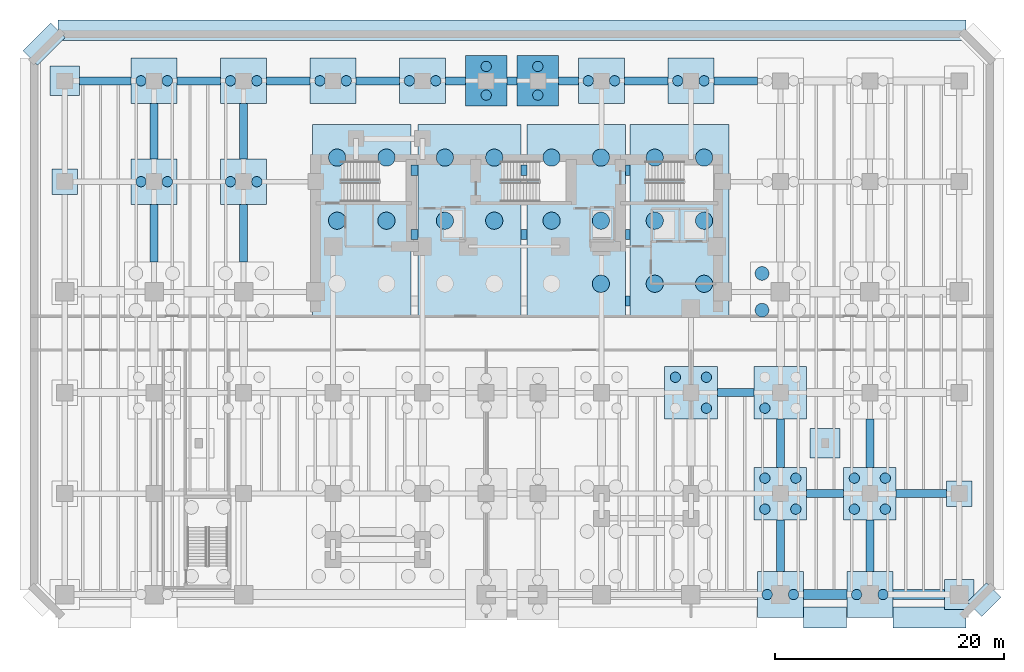
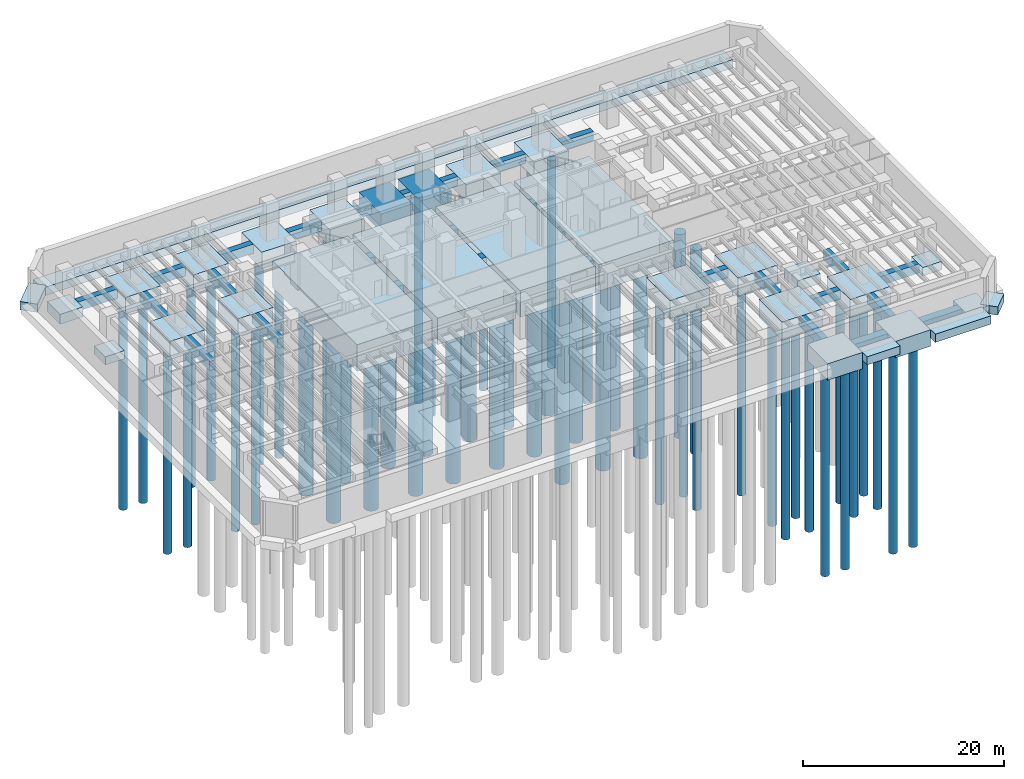
# One storey, part 2 of 13: 59 footings, 57 piles.
"""IFC4 building model written with IfcOpenShell, lengths in metres."""

from ifc_helpers import new_model, si_unit, direction, frame, origin, origin_2d, place, context, subcontext, project, spatial, rectangle, circle, extrude, material, material_profile, profile_set, type_object, element, save


model = new_model("IFC4")

# Units and contexts
model_context = context("Model", 3, precision=1e-05, world=origin(), true_north=direction((0.0, 1.0)))
body_context = subcontext(model_context, "Body", "Model", "MODEL_VIEW")
ifc_project = project(units=[si_unit("LENGTHUNIT", "METRE"), si_unit("AREAUNIT", "SQUARE_METRE"), si_unit("VOLUMEUNIT", "CUBIC_METRE"), si_unit("PLANEANGLEUNIT", "RADIAN"), si_unit("MASSUNIT", "GRAM", prefix="KILO")], contexts=[model_context])

# Site, building, storey
site_placement = place(None, origin())
site = spatial("IfcSite", under=ifc_project, at=site_placement, CompositionType="ELEMENT")
building_placement = place(site_placement, origin())
building = spatial("IfcBuilding", under=site, at=building_placement, Name="Kestravale Grand Hotel", CompositionType="ELEMENT")
storey_placement = place(building_placement, frame((0.0, 0.0, -9.0)))
storey = spatial("IfcBuildingStorey", under=building, at=storey_placement, Name="B2", CompositionType="ELEMENT", Elevation=-9.0)

# Footings
ifc_material_1 = material(Name="Concrete f'c 45 MPa", Category="concrete")
ifc_material_profile_1 = material_profile(ifc_material_1, rectangle(XDim=0.89990234375, YDim=1.39990234375, at=origin_2d()))
ifc_profile_set_1 = profile_set([ifc_material_profile_1], Name="Concrete f'c 45 MPa")
footing_type_1 = type_object("IfcFootingType", Name="FB-TIE-1", PredefinedType="FOOTING_BEAM", material=ifc_profile_set_1)
for number, where, z_axis, x_axis, name in (
    (1, (30.199951171875, 33.800048828125, -0.699951171875), (1.0, 0.0, 0.0), (0.0, 1.0, 0.0), "Core tie beam 1.2"),
    (2, (30.199951171875, 39.39990234375, -0.699951171875), (1.0, 0.0, 0.0), (0.0, 1.0, 0.0), "Core tie beam 1.3"),
):
    element("IfcFooting", number, at=place(storey_placement, frame(where, z_axis=z_axis, x_axis=x_axis)), inside=storey, type_object=footing_type_1, Name=name, PredefinedType="FOOTING_BEAM", context=body_context, shape_type="SweptSolid", body=[
        extrude(rectangle(XDim=0.89990234375, YDim=1.39990234375, at=origin_2d()), origin(), (0.0, 0.0, 1.0), 0.60009765625),
    ])
for number, where, z_axis, x_axis, name in (
    (3, (39.800048828125, 33.800048828125, -0.699951171875), (1.0, 0.0, 0.0), (0.0, 1.0, 0.0), "Core tie beam 2.2"),
    (4, (39.800048828125, 39.39990234375, -0.699951171875), (1.0, 0.0, 0.0), (0.0, 1.0, 0.0), "Core tie beam 2.3"),
):
    element("IfcFooting", number, at=place(storey_placement, frame(where, z_axis=z_axis, x_axis=x_axis)), inside=storey, type_object=footing_type_1, Name=name, PredefinedType="FOOTING_BEAM", context=body_context, shape_type="SweptSolid", body=[
        extrude(rectangle(XDim=0.89990234375, YDim=1.39990234375, at=origin_2d()), origin(), (0.0, 0.0, 1.0), 0.5),
    ])
for number, where, z_axis, x_axis, name in (
    (5, (48.89990234375, 28.0, -0.699951171875), (1.0, 0.0, 0.0), (0.0, 1.0, 0.0), "Core tie beam 3.1"),
    (6, (48.89990234375, 33.800048828125, -0.699951171875), (1.0, 0.0, 0.0), (0.0, 1.0, 0.0), "Core tie beam 3.2"),
    (7, (48.89990234375, 39.39990234375, -0.699951171875), (1.0, 0.0, 0.0), (0.0, 1.0, 0.0), "Core tie beam 3.3"),
):
    element("IfcFooting", number, at=place(storey_placement, frame(where, z_axis=z_axis, x_axis=x_axis)), inside=storey, type_object=footing_type_1, Name=name, PredefinedType="FOOTING_BEAM", context=body_context, shape_type="SweptSolid", body=[
        extrude(rectangle(XDim=0.89990234375, YDim=1.39990234375, at=origin_2d()), origin(), (0.0, 0.0, 1.0), 0.400146484375),
    ])
footing_1_placement = place(storey_placement, frame((64.39990234375, 2.39990234375, -0.699951171875), z_axis=(1.0, 0.0, 0.0), x_axis=(0.0, 1.0, 0.0)))
element("IfcFooting", 8, at=footing_1_placement, inside=storey, type_object=footing_type_1, Name="Foundation tie beam B:10-11", PredefinedType="FOOTING_BEAM", context=body_context, shape_type="SweptSolid", body=[
    extrude(rectangle(XDim=0.89990234375, YDim=1.39990234375, at=origin_2d()), origin(), (0.0, 0.0, 1.0), 3.800048828125),
])
footing_2_placement = place(storey_placement, frame((72.199951171875, 2.39990234375, -0.699951171875), z_axis=(1.0, 0.0, 0.0), x_axis=(0.0, 1.0, 0.0)))
element("IfcFooting", 9, at=footing_2_placement, inside=storey, type_object=footing_type_1, Name="Foundation tie beam B:11-12", PredefinedType="FOOTING_BEAM", context=body_context, shape_type="SweptSolid", body=[
    extrude(rectangle(XDim=0.89990234375, YDim=1.39990234375, at=origin_2d()), origin(), (0.0, 0.0, 1.0), 4.5),
])
ifc_material_2 = material(Name="Concrete f'c 40 MPa", Category="concrete")
ifc_material_profile_2 = material_profile(ifc_material_2, rectangle(XDim=0.699951171875, YDim=1.10009765625, at=origin_2d()))
ifc_profile_set_2 = profile_set([ifc_material_profile_2], Name="Concrete f'c 40 MPa")
footing_type_2 = type_object("IfcFootingType", Name="FB-TIE-2", PredefinedType="FOOTING_BEAM", material=ifc_profile_set_2)
footing_3_placement = place(storey_placement, frame((64.699951171875, 11.199951171875, -0.550048828125), z_axis=(1.0, 0.0, 0.0), x_axis=(0.0, 1.0, 0.0)))
element("IfcFooting", 10, at=footing_3_placement, inside=storey, type_object=footing_type_2, Name="Foundation tie beam C:10-11", PredefinedType="FOOTING_BEAM", context=body_context, shape_type="SweptSolid", body=[
    extrude(rectangle(XDim=0.699951171875, YDim=1.10009765625, at=origin_2d()), origin(), (0.0, 0.0, 1.0), 3.199951171875),
])
footing_4_placement = place(storey_placement, frame((72.5, 11.199951171875, -0.550048828125), z_axis=(1.0, 0.0, 0.0), x_axis=(0.0, 1.0, 0.0)))
element("IfcFooting", 11, at=footing_4_placement, inside=storey, type_object=footing_type_2, Name="Foundation tie beam C:11-12", PredefinedType="FOOTING_BEAM", context=body_context, shape_type="SweptSolid", body=[
    extrude(rectangle(XDim=0.699951171875, YDim=1.10009765625, at=origin_2d()), origin(), (0.0, 0.0, 1.0), 4.39990234375),
])
footing_5_placement = place(storey_placement, frame((56.89990234375, 20.0, -0.550048828125), z_axis=(1.0, 0.0, 0.0), x_axis=(0.0, 1.0, 0.0)))
element("IfcFooting", 12, at=footing_5_placement, inside=storey, type_object=footing_type_2, Name="Foundation tie beam D:9-10", PredefinedType="FOOTING_BEAM", context=body_context, shape_type="SweptSolid", body=[
    extrude(rectangle(XDim=0.699951171875, YDim=1.10009765625, at=origin_2d()), origin(), (0.0, 0.0, 1.0), 3.2001953125),
])
footing_6_placement = place(storey_placement, frame((1.300048828125, 47.199951171875, -0.550048828125), z_axis=(1.0, 0.0, 0.0), x_axis=(0.0, 1.0, 0.0)))
element("IfcFooting", 13, at=footing_6_placement, inside=storey, type_object=footing_type_2, Name="Foundation tie beam G:1-2", PredefinedType="FOOTING_BEAM", context=body_context, shape_type="SweptSolid", body=[
    extrude(rectangle(XDim=0.699951171875, YDim=1.10009765625, at=origin_2d()), origin(), (0.0, 0.0, 1.0), 4.5),
])
footing_7_placement = place(storey_placement, frame((9.800048828125, 47.199951171875, -0.550048828125), z_axis=(1.0, 0.0, 0.0), x_axis=(0.0, 1.0, 0.0)))
element("IfcFooting", 14, at=footing_7_placement, inside=storey, type_object=footing_type_2, Name="Foundation tie beam G:2-3", PredefinedType="FOOTING_BEAM", context=body_context, shape_type="SweptSolid", body=[
    extrude(rectangle(XDim=0.699951171875, YDim=1.10009765625, at=origin_2d()), origin(), (0.0, 0.0, 1.0), 3.800048828125),
])
footing_8_placement = place(storey_placement, frame((17.60009765625, 47.199951171875, -0.550048828125), z_axis=(1.0, 0.0, 0.0), x_axis=(0.0, 1.0, 0.0)))
element("IfcFooting", 15, at=footing_8_placement, inside=storey, type_object=footing_type_2, Name="Foundation tie beam G:3-4", PredefinedType="FOOTING_BEAM", context=body_context, shape_type="SweptSolid", body=[
    extrude(rectangle(XDim=0.699951171875, YDim=1.10009765625, at=origin_2d()), origin(), (0.0, 0.0, 1.0), 3.7998046875),
])
footing_9_placement = place(storey_placement, frame((25.39990234375, 47.199951171875, -0.550048828125), z_axis=(1.0, 0.0, 0.0), x_axis=(0.0, 1.0, 0.0)))
element("IfcFooting", 16, at=footing_9_placement, inside=storey, type_object=footing_type_2, Name="Foundation tie beam G:4-5", PredefinedType="FOOTING_BEAM", context=body_context, shape_type="SweptSolid", body=[
    extrude(rectangle(XDim=0.699951171875, YDim=1.10009765625, at=origin_2d()), origin(), (0.0, 0.0, 1.0), 3.800048828125),
])
footing_10_placement = place(storey_placement, frame((33.199951171875, 47.199951171875, -0.550048828125), z_axis=(1.0, 0.0, 0.0), x_axis=(0.0, 1.0, 0.0)))
element("IfcFooting", 17, at=footing_10_placement, inside=storey, type_object=footing_type_2, Name="Foundation tie beam G:5-6", PredefinedType="FOOTING_BEAM", context=body_context, shape_type="SweptSolid", body=[
    extrude(rectangle(XDim=0.699951171875, YDim=1.10009765625, at=origin_2d()), origin(), (0.0, 0.0, 1.0), 1.75),
])
footing_11_placement = place(storey_placement, frame((38.550048828125, 47.199951171875, -0.550048828125), z_axis=(1.0, 0.0, 0.0), x_axis=(0.0, 1.0, 0.0)))
element("IfcFooting", 18, at=footing_11_placement, inside=storey, type_object=footing_type_2, Name="Foundation tie beam G:6-7", PredefinedType="FOOTING_BEAM", context=body_context, shape_type="SweptSolid", body=[
    extrude(rectangle(XDim=0.699951171875, YDim=1.10009765625, at=origin_2d()), origin(), (0.0, 0.0, 1.0), 0.89990234375),
])
footing_12_placement = place(storey_placement, frame((43.050048828125, 47.199951171875, -0.550048828125), z_axis=(1.0, 0.0, 0.0), x_axis=(0.0, 1.0, 0.0)))
element("IfcFooting", 19, at=footing_12_placement, inside=storey, type_object=footing_type_2, Name="Foundation tie beam G:7-8", PredefinedType="FOOTING_BEAM", context=body_context, shape_type="SweptSolid", body=[
    extrude(rectangle(XDim=0.699951171875, YDim=1.10009765625, at=origin_2d()), origin(), (0.0, 0.0, 1.0), 1.75),
])
footing_13_placement = place(storey_placement, frame((48.800048828125, 47.199951171875, -0.550048828125), z_axis=(1.0, 0.0, 0.0), x_axis=(0.0, 1.0, 0.0)))
element("IfcFooting", 20, at=footing_13_placement, inside=storey, type_object=footing_type_2, Name="Foundation tie beam G:8-9", PredefinedType="FOOTING_BEAM", context=body_context, shape_type="SweptSolid", body=[
    extrude(rectangle(XDim=0.699951171875, YDim=1.10009765625, at=origin_2d()), origin(), (0.0, 0.0, 1.0), 3.800048828125),
])
footing_14_placement = place(storey_placement, frame((56.60009765625, 47.199951171875, -0.550048828125), z_axis=(1.0, 0.0, 0.0), x_axis=(0.0, 1.0, 0.0)))
element("IfcFooting", 21, at=footing_14_placement, inside=storey, type_object=footing_type_2, Name="Foundation tie beam G:9-10", PredefinedType="FOOTING_BEAM", context=body_context, shape_type="SweptSolid", body=[
    extrude(rectangle(XDim=0.699951171875, YDim=1.10009765625, at=origin_2d()), origin(), (0.0, 0.0, 1.0), 3.7998046875),
])
footing_15_placement = place(storey_placement, frame((7.800048828125, 31.39990234375, -0.550048828125), z_axis=(0.0, 1.0, 0.0), x_axis=(-1.0, 0.0, 0.0)))
element("IfcFooting", 22, at=footing_15_placement, inside=storey, type_object=footing_type_2, Name="Foundation tie beam 2:E-F", PredefinedType="FOOTING_BEAM", context=body_context, shape_type="SweptSolid", body=[
    extrude(rectangle(XDim=0.699951171875, YDim=1.10009765625, at=origin_2d()), origin(), (0.0, 0.0, 1.0), 5.0),
])
footing_16_placement = place(storey_placement, frame((7.800048828125, 40.39990234375, -0.550048828125), z_axis=(0.0, 1.0, 0.0), x_axis=(-1.0, 0.0, 0.0)))
element("IfcFooting", 23, at=footing_16_placement, inside=storey, type_object=footing_type_2, Name="Foundation tie beam 2:F-G", PredefinedType="FOOTING_BEAM", context=body_context, shape_type="SweptSolid", body=[
    extrude(rectangle(XDim=0.699951171875, YDim=1.10009765625, at=origin_2d()), origin(), (0.0, 0.0, 1.0), 4.800048828125),
])
footing_17_placement = place(storey_placement, frame((15.60009765625, 31.39990234375, -0.550048828125), z_axis=(0.0, 1.0, 0.0), x_axis=(-1.0, 0.0, 0.0)))
element("IfcFooting", 24, at=footing_17_placement, inside=storey, type_object=footing_type_2, Name="Foundation tie beam 3:E-F", PredefinedType="FOOTING_BEAM", context=body_context, shape_type="SweptSolid", body=[
    extrude(rectangle(XDim=0.699951171875, YDim=1.10009765625, at=origin_2d()), origin(), (0.0, 0.0, 1.0), 5.0),
])
footing_18_placement = place(storey_placement, frame((15.60009765625, 40.39990234375, -0.550048828125), z_axis=(0.0, 1.0, 0.0), x_axis=(-1.0, 0.0, 0.0)))
element("IfcFooting", 25, at=footing_18_placement, inside=storey, type_object=footing_type_2, Name="Foundation tie beam 3:F-G", PredefinedType="FOOTING_BEAM", context=body_context, shape_type="SweptSolid", body=[
    extrude(rectangle(XDim=0.699951171875, YDim=1.10009765625, at=origin_2d()), origin(), (0.0, 0.0, 1.0), 4.800048828125),
])
footing_19_placement = place(storey_placement, frame((62.39990234375, 4.39990234375, -0.550048828125), z_axis=(0.0, 1.0, 0.0), x_axis=(-1.0, 0.0, 0.0)))
element("IfcFooting", 26, at=footing_19_placement, inside=storey, type_object=footing_type_2, Name="Foundation tie beam 10:B-C", PredefinedType="FOOTING_BEAM", context=body_context, shape_type="SweptSolid", body=[
    extrude(rectangle(XDim=0.699951171875, YDim=1.10009765625, at=origin_2d()), origin(), (0.0, 0.0, 1.0), 4.5),
])
footing_20_placement = place(storey_placement, frame((62.39990234375, 13.5, -0.550048828125), z_axis=(0.0, 1.0, 0.0), x_axis=(-1.0, 0.0, 0.0)))
element("IfcFooting", 27, at=footing_20_placement, inside=storey, type_object=footing_type_2, Name="Foundation tie beam 10:C-D", PredefinedType="FOOTING_BEAM", context=body_context, shape_type="SweptSolid", body=[
    extrude(rectangle(XDim=0.699951171875, YDim=1.10009765625, at=origin_2d()), origin(), (0.0, 0.0, 1.0), 4.199951171875),
])
footing_21_placement = place(storey_placement, frame((70.199951171875, 4.39990234375, -0.550048828125), z_axis=(0.0, 1.0, 0.0), x_axis=(-1.0, 0.0, 0.0)))
element("IfcFooting", 28, at=footing_21_placement, inside=storey, type_object=footing_type_2, Name="Foundation tie beam 11:B-C", PredefinedType="FOOTING_BEAM", context=body_context, shape_type="SweptSolid", body=[
    extrude(rectangle(XDim=0.699951171875, YDim=1.10009765625, at=origin_2d()), origin(), (0.0, 0.0, 1.0), 4.5),
])
footing_22_placement = place(storey_placement, frame((70.199951171875, 13.5, -0.550048828125), z_axis=(0.0, 1.0, 0.0), x_axis=(-1.0, 0.0, 0.0)))
element("IfcFooting", 29, at=footing_22_placement, inside=storey, type_object=footing_type_2, Name="Foundation tie beam 11:C-D", PredefinedType="FOOTING_BEAM", context=body_context, shape_type="SweptSolid", body=[
    extrude(rectangle(XDim=0.699951171875, YDim=1.10009765625, at=origin_2d()), origin(), (0.0, 0.0, 1.0), 4.199951171875),
])
ifc_material_3 = material(Name="Concrete f'c 45 MPa", Category="concrete")
footing_type_3 = type_object("IfcFootingType", Name="FC-CORE-1", PredefinedType="PILE_CAP", material=ifc_material_3)
for number, where, z_axis, x_axis, name in (
    (30, (25.89990234375, 35.0, -3.2001953125), (0.0, 0.0, 1.0), (1.0, 0.0, 0.0), "Core pile cap FC-CORE-W"),
    (31, (44.60009765625, 35.0, -3.2001953125), (0.0, 0.0, 1.0), (1.0, 0.0, 0.0), "Core pile cap FC-CORE-CE"),
    (32, (53.60009765625, 35.0, -3.2001953125), (0.0, 0.0, 1.0), (1.0, 0.0, 0.0), "Core pile cap FC-CORE-E"),
):
    element("IfcFooting", number, at=place(storey_placement, frame(where, z_axis=z_axis, x_axis=x_axis)), inside=storey, type_object=footing_type_3, Name=name, PredefinedType="PILE_CAP", context=body_context, shape_type="SweptSolid", body=[
        extrude(rectangle(XDim=8.60009765625, YDim=16.800048828125, at=origin_2d()), origin(), (0.0, 0.0, 1.0), 3.199951171875),
    ])
ifc_material_4 = material(Name="Concrete f'c 45 MPa", Category="concrete")
footing_type_4 = type_object("IfcFootingType", Name="FC-CORE-2", PredefinedType="PILE_CAP", material=ifc_material_4)
footing_23_placement = place(storey_placement, frame((35.300048828125, 35.0, -3.2001953125), z_axis=(0.0, 0.0, 1.0), x_axis=(1.0, 0.0, 0.0)))
element("IfcFooting", 33, at=footing_23_placement, inside=storey, type_object=footing_type_4, Name="Core pile cap FC-CORE-CW", PredefinedType="PILE_CAP", context=body_context, shape_type="SweptSolid", body=[
    extrude(rectangle(XDim=9.0, YDim=16.800048828125, at=origin_2d()), origin(), (0.0, 0.0, 1.0), 3.199951171875),
])
ifc_material_5 = material(Name="Concrete f'c 45 MPa", Category="concrete")
footing_type_5 = type_object("IfcFootingType", Name="FC-SLT-D", PredefinedType="PILE_CAP", material=ifc_material_5)
for number, where, z_axis, x_axis, name in (
    (34, (36.75, 47.199951171875, -2.10009765625), (0.0, 0.0, 1.0), (1.0, 0.0, 0.0), "Foundation FTG-6-G"),
    (35, (41.25, 47.199951171875, -2.10009765625), (0.0, 0.0, 1.0), (1.0, 0.0, 0.0), "Foundation FTG-7-G"),
):
    element("IfcFooting", number, at=place(storey_placement, frame(where, z_axis=z_axis, x_axis=x_axis)), inside=storey, type_object=footing_type_5, Name=name, PredefinedType="PILE_CAP", context=body_context, shape_type="SweptSolid", body=[
        extrude(rectangle(XDim=3.60009765625, YDim=4.39990234375, at=origin_2d()), origin(), (0.0, 0.0, 1.0), 2.10009765625),
    ])
ifc_material_6 = material(Name="Concrete f'c 45 MPa", Category="concrete")
footing_type_6 = type_object("IfcFootingType", Name="FC-TWR-B", PredefinedType="PILE_CAP", material=ifc_material_6)
for number, where, z_axis, x_axis, name in (
    (36, (54.60009765625, 20.0, -2.2001953125), (0.0, 0.0, 1.0), (1.0, 0.0, 0.0), "Foundation FTG-9-D"),
    (37, (62.39990234375, 11.199951171875, -2.2001953125), (0.0, 0.0, 1.0), (1.0, 0.0, 0.0), "Foundation FTG-10-C"),
    (38, (62.39990234375, 20.0, -2.2001953125), (0.0, 0.0, 1.0), (1.0, 0.0, 0.0), "Foundation FTG-10-D"),
    (39, (70.199951171875, 11.199951171875, -2.2001953125), (0.0, 0.0, 1.0), (1.0, 0.0, 0.0), "Foundation FTG-11-C"),
):
    element("IfcFooting", number, at=place(storey_placement, frame(where, z_axis=z_axis, x_axis=x_axis)), inside=storey, type_object=footing_type_6, Name=name, PredefinedType="PILE_CAP", context=body_context, shape_type="SweptSolid", body=[
        extrude(rectangle(XDim=4.60009765625, YDim=4.60009765625, at=origin_2d()), origin(), (0.0, 0.0, 1.0), 2.199951171875),
    ])
ifc_material_7 = material(Name="Concrete f'c 40 MPa", Category="concrete")
footing_type_7 = type_object("IfcFootingType", Name="FC-TWR-C", PredefinedType="PILE_CAP", material=ifc_material_7)
for number, where, z_axis, x_axis, name in (
    (40, (7.800048828125, 38.39990234375, -2.0), (0.0, 0.0, 1.0), (1.0, 0.0, 0.0), "Foundation FTG-2-F"),
    (41, (7.800048828125, 47.199951171875, -2.0), (0.0, 0.0, 1.0), (1.0, 0.0, 0.0), "Foundation FTG-2-G"),
    (42, (15.60009765625, 38.39990234375, -2.0), (0.0, 0.0, 1.0), (1.0, 0.0, 0.0), "Foundation FTG-3-F"),
    (43, (15.60009765625, 47.199951171875, -2.0), (0.0, 0.0, 1.0), (1.0, 0.0, 0.0), "Foundation FTG-3-G"),
    (44, (23.39990234375, 47.199951171875, -2.0), (0.0, 0.0, 1.0), (1.0, 0.0, 0.0), "Foundation FTG-4-G"),
    (45, (31.199951171875, 47.199951171875, -2.0), (0.0, 0.0, 1.0), (1.0, 0.0, 0.0), "Foundation FTG-5-G"),
    (46, (46.800048828125, 47.199951171875, -2.0), (0.0, 0.0, 1.0), (1.0, 0.0, 0.0), "Foundation FTG-8-G"),
    (47, (54.60009765625, 47.199951171875, -2.0), (0.0, 0.0, 1.0), (1.0, 0.0, 0.0), "Foundation FTG-9-G"),
    (48, (62.39990234375, 2.39990234375, -2.0), (0.0, 0.0, 1.0), (1.0, 0.0, 0.0), "Foundation FTG-10-B"),
    (49, (70.199951171875, 2.39990234375, -2.0), (0.0, 0.0, 1.0), (1.0, 0.0, 0.0), "Foundation FTG-11-B"),
):
    element("IfcFooting", number, at=place(storey_placement, frame(where, z_axis=z_axis, x_axis=x_axis)), inside=storey, type_object=footing_type_7, Name=name, PredefinedType="PILE_CAP", context=body_context, shape_type="SweptSolid", body=[
        extrude(rectangle(XDim=4.0, YDim=4.0, at=origin_2d()), origin(), (0.0, 0.0, 1.0), 2.0),
    ])
ifc_material_8 = material(Name="Concrete f'c 40 MPa", Category="concrete")
footing_type_8 = type_object("IfcFootingType", Name="FD-POD-2", PredefinedType="PAD_FOOTING", material=ifc_material_8)
for number, where, z_axis, x_axis, name in (
    (50, (0.0, 47.199951171875, -1.2001953125), (0.0, 0.0, 1.0), (1.0, 0.0, 0.0), "Foundation FTG-1-G"),
    (51, (78.0, 2.39990234375, -1.2001953125), (0.0, 0.0, 1.0), (1.0, 0.0, 0.0), "Foundation FTG-12-B"),
    (52, (66.300048828125, 15.60009765625, -1.2001953125), (0.0, 0.0, 1.0), (1.0, 0.0, 0.0), "Foundation FTG-P2-P"),
):
    element("IfcFooting", number, at=place(storey_placement, frame(where, z_axis=z_axis, x_axis=x_axis)), inside=storey, type_object=footing_type_8, Name=name, PredefinedType="PAD_FOOTING", context=body_context, shape_type="SweptSolid", body=[
        extrude(rectangle(XDim=2.60009765625, YDim=2.60009765625, at=origin_2d()), origin(), (0.0, 0.0, 1.0), 1.199951171875),
    ])
ifc_material_9 = material(Name="Concrete f'c 40 MPa", Category="concrete")
footing_type_9 = type_object("IfcFootingType", Name="FD-POD-3", PredefinedType="PAD_FOOTING", material=ifc_material_9)
for number, where, z_axis, x_axis, name in (
    (53, (0.0, 38.39990234375, -1.0), (0.0, 0.0, 1.0), (1.0, 0.0, 0.0), "Foundation FTG-1-F"),
    (54, (78.0, 11.199951171875, -1.0), (0.0, 0.0, 1.0), (1.0, 0.0, 0.0), "Foundation FTG-12-C"),
):
    element("IfcFooting", number, at=place(storey_placement, frame(where, z_axis=z_axis, x_axis=x_axis)), inside=storey, type_object=footing_type_9, Name=name, PredefinedType="PAD_FOOTING", context=body_context, shape_type="SweptSolid", body=[
        extrude(rectangle(XDim=2.199951171875, YDim=2.199951171875, at=origin_2d()), origin(), (0.0, 0.0, 1.0), 1.0),
    ])
ifc_material_10 = material(Name="Concrete f'c 40 MPa", Category="concrete")
ifc_material_profile_3 = material_profile(ifc_material_10, rectangle(XDim=1.800048828125, YDim=1.0, at=origin_2d()))
ifc_profile_set_3 = profile_set([ifc_material_profile_3], Name="Concrete f'c 40 MPa")
footing_type_10 = type_object("IfcFootingType", Name="FS-RET-1", PredefinedType="STRIP_FOOTING", material=ifc_profile_set_3)
footing_24_placement = place(storey_placement, frame((64.419921875, 0.39990234375, -0.5), z_axis=(1.0, 0.0, 0.0), x_axis=(0.0, 1.0, 0.0)))
element("IfcFooting", 55, at=footing_24_placement, inside=storey, type_object=footing_type_10, Name="Retaining wall strip footing 4", PredefinedType="STRIP_FOOTING", context=body_context, shape_type="SweptSolid", body=[
    extrude(rectangle(XDim=1.800048828125, YDim=1.0, at=origin_2d()), origin(), (0.0, 0.0, 1.0), 3.760009765625),
])
footing_25_placement = place(storey_placement, frame((72.219970703125, 0.39990234375, -0.5), z_axis=(1.0, 0.0, 0.0), x_axis=(0.0, 1.0, 0.0)))
element("IfcFooting", 56, at=footing_25_placement, inside=storey, type_object=footing_type_10, Name="Retaining wall strip footing 5", PredefinedType="STRIP_FOOTING", context=body_context, shape_type="SweptSolid", body=[
    extrude(rectangle(XDim=1.800048828125, YDim=1.0, at=origin_2d()), origin(), (0.0, 0.0, 1.0), 6.380126953125),
])
footing_26_placement = place(storey_placement, frame((79.320068359375, 1.1201171875, -0.5), z_axis=(0.707106781187, 0.707106781187, 0.0), x_axis=(-0.707106781187, 0.707106781187, 0.0)))
element("IfcFooting", 57, at=footing_26_placement, inside=storey, type_object=footing_type_10, Name="Retaining wall strip footing 6", PredefinedType="STRIP_FOOTING", context=body_context, shape_type="SweptSolid", body=[
    extrude(rectangle(XDim=1.800048828125, YDim=1.0, at=origin_2d()), origin(), (0.0, 0.0, 1.0), 2.375732421875),
])
footing_27_placement = place(storey_placement, frame((78.60009765625, 51.60009765625, -0.5), z_axis=(-1.0, 0.0, 0.0), x_axis=(0.0, -1.0, 0.0)))
element("IfcFooting", 58, at=footing_27_placement, inside=storey, type_object=footing_type_10, Name="Retaining wall strip footing 9", PredefinedType="STRIP_FOOTING", context=body_context, shape_type="SweptSolid", body=[
    extrude(rectangle(XDim=1.800048828125, YDim=1.0, at=origin_2d()), origin(), (0.0, 0.0, 1.0), 79.2001953125),
])
footing_28_placement = place(storey_placement, frame((-0.60009765625, 51.60009765625, -0.5), z_axis=(-0.707070815327, -0.707142745217, 0.0), x_axis=(0.707142745217, -0.707070815327, 0.0)))
element("IfcFooting", 59, at=footing_28_placement, inside=storey, type_object=footing_type_10, Name="Retaining wall strip footing 10", PredefinedType="STRIP_FOOTING", context=body_context, shape_type="SweptSolid", body=[
    extrude(rectangle(XDim=1.800048828125, YDim=1.0, at=origin_2d()), origin(), (0.0, 0.0, 1.0), 3.39404296875),
])

# Piles
ifc_material_11 = material(Name="Concrete f'c 45 MPa", Category="concrete")
ifc_material_profile_4 = material_profile(ifc_material_11, circle(Radius=0.60009765625, at=origin_2d()))
ifc_profile_set_4 = profile_set([ifc_material_profile_4], Name="Concrete f'c 45 MPa")
pile_type_1 = type_object("IfcPileType", Name="PILE-1200", PredefinedType="BORED", material=ifc_profile_set_4)
for number, where, z_axis, x_axis, name in (
    (60, (60.800048828125, 27.199951171875, -2.25), (0.0, 0.0, -1.0), (1.0, 0.0, 0.0), "Bored pile 10-E-1"),
    (61, (60.800048828125, 30.39990234375, -2.25), (0.0, 0.0, -1.0), (1.0, 0.0, 0.0), "Bored pile 10-E-3"),
):
    element("IfcPile", number, at=place(storey_placement, frame(where, z_axis=z_axis, x_axis=x_axis)), inside=storey, type_object=pile_type_1, Name=name, PredefinedType="BORED", context=body_context, shape_type="SweptSolid", body=[
        extrude(circle(Radius=0.60009765625, at=origin_2d()), origin(), (0.0, 0.0, 1.0), 24.75),
    ])
ifc_material_12 = material(Name="Concrete f'c 45 MPa", Category="concrete")
ifc_material_profile_5 = material_profile(ifc_material_12, circle(Radius=0.75, at=origin_2d()))
ifc_profile_set_5 = profile_set([ifc_material_profile_5], Name="Concrete f'c 45 MPa")
pile_type_2 = type_object("IfcPileType", Name="PILE-1500", PredefinedType="BORED", material=ifc_profile_set_5)
for number, where, z_axis, x_axis, name in (
    (62, (23.75, 35.0, -3.050048828125), (0.0, 0.0, -1.0), (1.0, 0.0, 0.0), "Bored pile FC-CORE-W-02"),
    (63, (23.75, 40.5, -3.050048828125), (0.0, 0.0, -1.0), (1.0, 0.0, 0.0), "Bored pile FC-CORE-W-03"),
    (64, (28.050048828125, 35.0, -3.050048828125), (0.0, 0.0, -1.0), (1.0, 0.0, 0.0), "Bored pile FC-CORE-W-05"),
    (65, (28.050048828125, 40.5, -3.050048828125), (0.0, 0.0, -1.0), (1.0, 0.0, 0.0), "Bored pile FC-CORE-W-06"),
    (66, (33.14990234375, 35.0, -3.050048828125), (0.0, 0.0, -1.0), (1.0, 0.0, 0.0), "Bored pile FC-CORE-CW-02"),
    (67, (33.14990234375, 40.5, -3.050048828125), (0.0, 0.0, -1.0), (1.0, 0.0, 0.0), "Bored pile FC-CORE-CW-03"),
    (68, (37.449951171875, 35.0, -3.050048828125), (0.0, 0.0, -1.0), (1.0, 0.0, 0.0), "Bored pile FC-CORE-CW-05"),
    (69, (37.449951171875, 40.5, -3.050048828125), (0.0, 0.0, -1.0), (1.0, 0.0, 0.0), "Bored pile FC-CORE-CW-06"),
    (70, (42.449951171875, 35.0, -3.050048828125), (0.0, 0.0, -1.0), (1.0, 0.0, 0.0), "Bored pile FC-CORE-CE-02"),
    (71, (42.449951171875, 40.5, -3.050048828125), (0.0, 0.0, -1.0), (1.0, 0.0, 0.0), "Bored pile FC-CORE-CE-03"),
    (72, (46.75, 29.5, -3.050048828125), (0.0, 0.0, -1.0), (1.0, 0.0, 0.0), "Bored pile FC-CORE-CE-04"),
    (73, (46.75, 35.0, -3.050048828125), (0.0, 0.0, -1.0), (1.0, 0.0, 0.0), "Bored pile FC-CORE-CE-05"),
    (74, (46.75, 40.5, -3.050048828125), (0.0, 0.0, -1.0), (1.0, 0.0, 0.0), "Bored pile FC-CORE-CE-06"),
    (75, (51.449951171875, 29.5, -3.050048828125), (0.0, 0.0, -1.0), (1.0, 0.0, 0.0), "Bored pile FC-CORE-E-01"),
    (76, (51.449951171875, 35.0, -3.050048828125), (0.0, 0.0, -1.0), (1.0, 0.0, 0.0), "Bored pile FC-CORE-E-02"),
    (77, (51.449951171875, 40.5, -3.050048828125), (0.0, 0.0, -1.0), (1.0, 0.0, 0.0), "Bored pile FC-CORE-E-03"),
    (78, (55.75, 29.5, -3.050048828125), (0.0, 0.0, -1.0), (1.0, 0.0, 0.0), "Bored pile FC-CORE-E-04"),
    (79, (55.75, 35.0, -3.050048828125), (0.0, 0.0, -1.0), (1.0, 0.0, 0.0), "Bored pile FC-CORE-E-05"),
    (80, (55.75, 40.5, -3.050048828125), (0.0, 0.0, -1.0), (1.0, 0.0, 0.0), "Bored pile FC-CORE-E-06"),
):
    element("IfcPile", number, at=place(storey_placement, frame(where, z_axis=z_axis, x_axis=x_axis)), inside=storey, type_object=pile_type_2, Name=name, PredefinedType="BORED", context=body_context, shape_type="SweptSolid", body=[
        extrude(circle(Radius=0.75, at=origin_2d()), origin(), (0.0, 0.0, 1.0), 23.949951171875),
    ])
ifc_material_13 = material(Name="Concrete f'c 40 MPa", Category="concrete")
ifc_material_profile_6 = material_profile(ifc_material_13, circle(Radius=0.449951171875, at=origin_2d()))
ifc_profile_set_6 = profile_set([ifc_material_profile_6], Name="Concrete f'c 40 MPa")
pile_type_3 = type_object("IfcPileType", Name="PILE-900", PredefinedType="BORED", material=ifc_profile_set_6)
for number, where, z_axis, x_axis, name in (
    (81, (6.64990234375, 38.39990234375, -1.85009765625), (0.0, 0.0, -1.0), (1.0, 0.0, 0.0), "Bored pile 2-F-1"),
    (82, (8.949951171875, 38.39990234375, -1.85009765625), (0.0, 0.0, -1.0), (1.0, 0.0, 0.0), "Bored pile 2-F-2"),
    (83, (6.64990234375, 47.199951171875, -1.85009765625), (0.0, 0.0, -1.0), (1.0, 0.0, 0.0), "Bored pile 2-G-1"),
    (84, (8.949951171875, 47.199951171875, -1.85009765625), (0.0, 0.0, -1.0), (1.0, 0.0, 0.0), "Bored pile 2-G-2"),
    (85, (14.449951171875, 38.39990234375, -1.85009765625), (0.0, 0.0, -1.0), (1.0, 0.0, 0.0), "Bored pile 3-F-1"),
    (86, (16.75, 38.39990234375, -1.85009765625), (0.0, 0.0, -1.0), (1.0, 0.0, 0.0), "Bored pile 3-F-2"),
    (87, (14.449951171875, 47.199951171875, -1.85009765625), (0.0, 0.0, -1.0), (1.0, 0.0, 0.0), "Bored pile 3-G-1"),
    (88, (16.75, 47.199951171875, -1.85009765625), (0.0, 0.0, -1.0), (1.0, 0.0, 0.0), "Bored pile 3-G-2"),
    (89, (22.25, 47.199951171875, -1.85009765625), (0.0, 0.0, -1.0), (1.0, 0.0, 0.0), "Bored pile 4-G-1"),
    (90, (24.550048828125, 47.199951171875, -1.85009765625), (0.0, 0.0, -1.0), (1.0, 0.0, 0.0), "Bored pile 4-G-2"),
    (91, (30.050048828125, 47.199951171875, -1.85009765625), (0.0, 0.0, -1.0), (1.0, 0.0, 0.0), "Bored pile 5-G-1"),
    (92, (32.35009765625, 47.199951171875, -1.85009765625), (0.0, 0.0, -1.0), (1.0, 0.0, 0.0), "Bored pile 5-G-2"),
):
    element("IfcPile", number, at=place(storey_placement, frame(where, z_axis=z_axis, x_axis=x_axis)), inside=storey, type_object=pile_type_3, Name=name, PredefinedType="BORED", context=body_context, shape_type="SweptSolid", body=[
        extrude(circle(Radius=0.449951171875, at=origin_2d()), origin(), (0.0, 0.0, 1.0), 25.14990234375),
    ])
for number, where, z_axis, x_axis, name in (
    (93, (36.75, 45.949951171875, -1.949951171875), (0.0, 0.0, -1.0), (1.0, 0.0, 0.0), "Bored pile 6-G-1"),
    (94, (36.75, 48.449951171875, -1.949951171875), (0.0, 0.0, -1.0), (1.0, 0.0, 0.0), "Bored pile 6-G-2"),
    (95, (41.25, 45.949951171875, -1.949951171875), (0.0, 0.0, -1.0), (1.0, 0.0, 0.0), "Bored pile 7-G-1"),
    (96, (41.25, 48.449951171875, -1.949951171875), (0.0, 0.0, -1.0), (1.0, 0.0, 0.0), "Bored pile 7-G-2"),
):
    element("IfcPile", number, at=place(storey_placement, frame(where, z_axis=z_axis, x_axis=x_axis)), inside=storey, type_object=pile_type_3, Name=name, PredefinedType="BORED", context=body_context, shape_type="SweptSolid", body=[
        extrude(circle(Radius=0.449951171875, at=origin_2d()), origin(), (0.0, 0.0, 1.0), 25.050048828125),
    ])
for number, where, z_axis, x_axis, name in (
    (97, (45.64990234375, 47.199951171875, -1.85009765625), (0.0, 0.0, -1.0), (1.0, 0.0, 0.0), "Bored pile 8-G-1"),
    (98, (47.949951171875, 47.199951171875, -1.85009765625), (0.0, 0.0, -1.0), (1.0, 0.0, 0.0), "Bored pile 8-G-2"),
):
    element("IfcPile", number, at=place(storey_placement, frame(where, z_axis=z_axis, x_axis=x_axis)), inside=storey, type_object=pile_type_3, Name=name, PredefinedType="BORED", context=body_context, shape_type="SweptSolid", body=[
        extrude(circle(Radius=0.449951171875, at=origin_2d()), origin(), (0.0, 0.0, 1.0), 25.14990234375),
    ])
for number, where, z_axis, x_axis, name in (
    (99, (55.949951171875, 18.64990234375, -2.050048828125), (0.0, 0.0, -1.0), (1.0, 0.0, 0.0), "Bored pile 9-D-2"),
    (100, (53.25, 21.35009765625, -2.050048828125), (0.0, 0.0, -1.0), (1.0, 0.0, 0.0), "Bored pile 9-D-3"),
    (101, (55.949951171875, 21.35009765625, -2.050048828125), (0.0, 0.0, -1.0), (1.0, 0.0, 0.0), "Bored pile 9-D-4"),
):
    element("IfcPile", number, at=place(storey_placement, frame(where, z_axis=z_axis, x_axis=x_axis)), inside=storey, type_object=pile_type_3, Name=name, PredefinedType="BORED", context=body_context, shape_type="SweptSolid", body=[
        extrude(circle(Radius=0.449951171875, at=origin_2d()), origin(), (0.0, 0.0, 1.0), 24.949951171875),
    ])
for number, where, z_axis, x_axis, name in (
    (102, (53.449951171875, 47.199951171875, -1.85009765625), (0.0, 0.0, -1.0), (1.0, 0.0, 0.0), "Bored pile 9-G-1"),
    (103, (55.75, 47.199951171875, -1.85009765625), (0.0, 0.0, -1.0), (1.0, 0.0, 0.0), "Bored pile 9-G-2"),
    (104, (61.25, 2.39990234375, -1.85009765625), (0.0, 0.0, -1.0), (1.0, 0.0, 0.0), "Bored pile 10-B-1"),
    (105, (63.550048828125, 2.39990234375, -1.85009765625), (0.0, 0.0, -1.0), (1.0, 0.0, 0.0), "Bored pile 10-B-2"),
):
    element("IfcPile", number, at=place(storey_placement, frame(where, z_axis=z_axis, x_axis=x_axis)), inside=storey, type_object=pile_type_3, Name=name, PredefinedType="BORED", context=body_context, shape_type="SweptSolid", body=[
        extrude(circle(Radius=0.449951171875, at=origin_2d()), origin(), (0.0, 0.0, 1.0), 25.14990234375),
    ])
for number, where, z_axis, x_axis, name in (
    (106, (61.050048828125, 9.85009765625, -2.050048828125), (0.0, 0.0, -1.0), (1.0, 0.0, 0.0), "Bored pile 10-C-1"),
    (107, (63.75, 9.85009765625, -2.050048828125), (0.0, 0.0, -1.0), (1.0, 0.0, 0.0), "Bored pile 10-C-2"),
    (108, (61.050048828125, 12.550048828125, -2.050048828125), (0.0, 0.0, -1.0), (1.0, 0.0, 0.0), "Bored pile 10-C-3"),
    (109, (63.75, 12.550048828125, -2.050048828125), (0.0, 0.0, -1.0), (1.0, 0.0, 0.0), "Bored pile 10-C-4"),
    (110, (61.050048828125, 18.64990234375, -2.050048828125), (0.0, 0.0, -1.0), (1.0, 0.0, 0.0), "Bored pile 10-D-1"),
):
    element("IfcPile", number, at=place(storey_placement, frame(where, z_axis=z_axis, x_axis=x_axis)), inside=storey, type_object=pile_type_3, Name=name, PredefinedType="BORED", context=body_context, shape_type="SweptSolid", body=[
        extrude(circle(Radius=0.449951171875, at=origin_2d()), origin(), (0.0, 0.0, 1.0), 24.949951171875),
    ])
for number, where, z_axis, x_axis, name in (
    (111, (69.050048828125, 2.39990234375, -1.85009765625), (0.0, 0.0, -1.0), (1.0, 0.0, 0.0), "Bored pile 11-B-1"),
    (112, (71.35009765625, 2.39990234375, -1.85009765625), (0.0, 0.0, -1.0), (1.0, 0.0, 0.0), "Bored pile 11-B-2"),
):
    element("IfcPile", number, at=place(storey_placement, frame(where, z_axis=z_axis, x_axis=x_axis)), inside=storey, type_object=pile_type_3, Name=name, PredefinedType="BORED", context=body_context, shape_type="SweptSolid", body=[
        extrude(circle(Radius=0.449951171875, at=origin_2d()), origin(), (0.0, 0.0, 1.0), 25.14990234375),
    ])
for number, where, z_axis, x_axis, name in (
    (113, (68.85009765625, 9.85009765625, -2.050048828125), (0.0, 0.0, -1.0), (1.0, 0.0, 0.0), "Bored pile 11-C-1"),
    (114, (71.550048828125, 9.85009765625, -2.050048828125), (0.0, 0.0, -1.0), (1.0, 0.0, 0.0), "Bored pile 11-C-2"),
    (115, (68.85009765625, 12.550048828125, -2.050048828125), (0.0, 0.0, -1.0), (1.0, 0.0, 0.0), "Bored pile 11-C-3"),
    (116, (71.550048828125, 12.550048828125, -2.050048828125), (0.0, 0.0, -1.0), (1.0, 0.0, 0.0), "Bored pile 11-C-4"),
):
    element("IfcPile", number, at=place(storey_placement, frame(where, z_axis=z_axis, x_axis=x_axis)), inside=storey, type_object=pile_type_3, Name=name, PredefinedType="BORED", context=body_context, shape_type="SweptSolid", body=[
        extrude(circle(Radius=0.449951171875, at=origin_2d()), origin(), (0.0, 0.0, 1.0), 24.949951171875),
    ])

save(model, "model.ifc")
